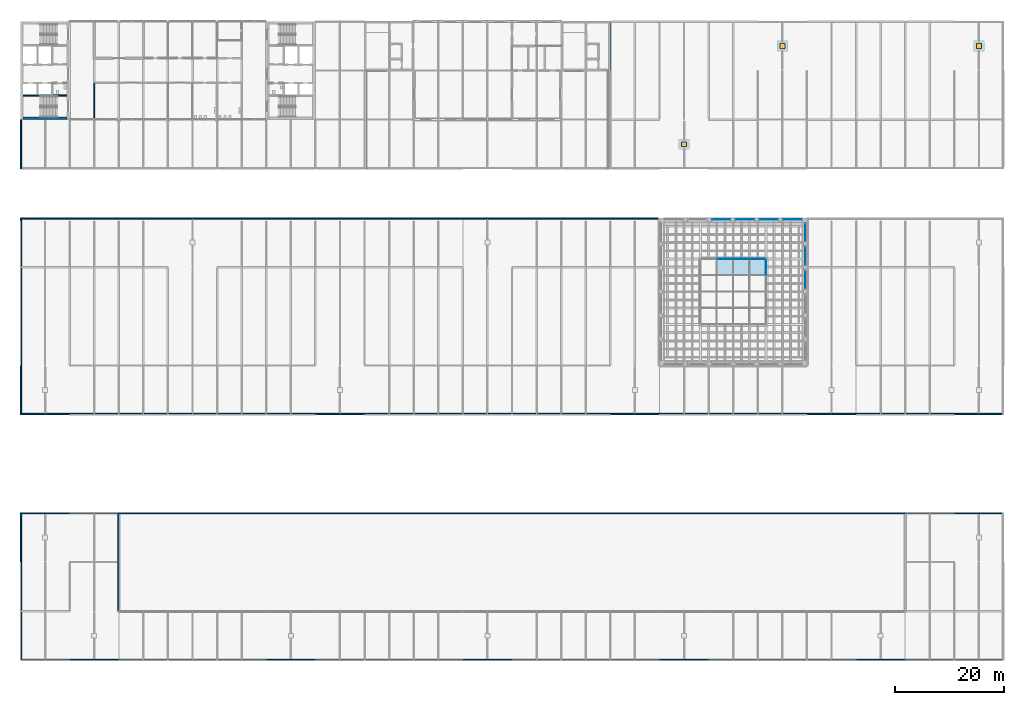
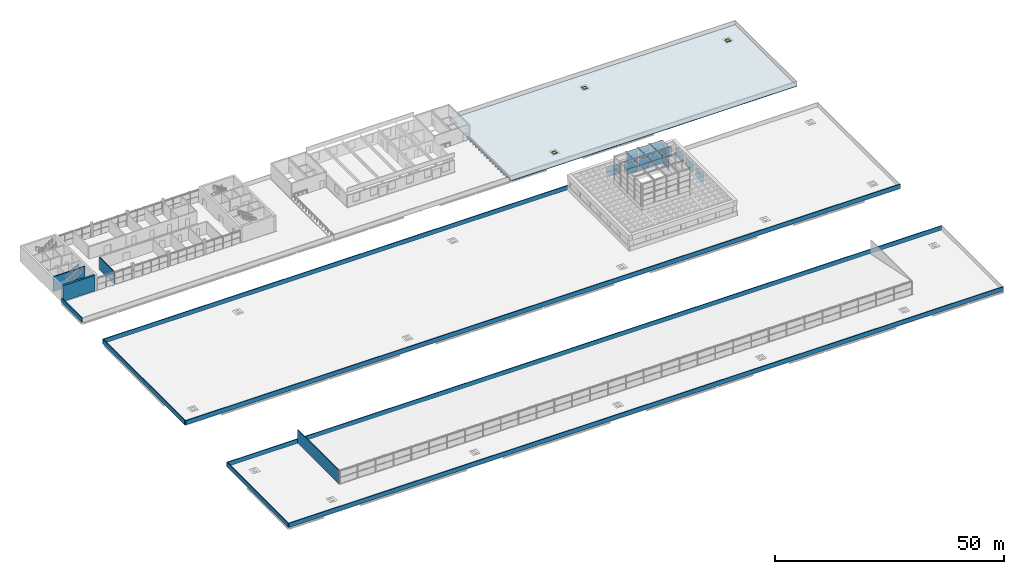
# One storey, part 42 of 50: 30 plates, 11 walls, 3 doors, 1 slab, 3 openings, 16 elements without a shape of their own.
"""IFC4 building model written with IfcOpenShell, lengths in metres."""

from ifc_helpers import new_model, si_unit, direction, frame, frame_2d, origin, origin_2d, place, context, subcontext, project, spatial, polyline, rectangle, outline, extrude, material, layer, layer_set, type_object, element, fill, aggregate, save


model = new_model("IFC4")

# Units and contexts
model_context = context("Model", 3, precision=1e-05, world=origin(), true_north=direction((0.0, 1.0)))
body_context = subcontext(model_context, "Body", "Model", "MODEL_VIEW")
ifc_project = project(units=[si_unit("LENGTHUNIT", "METRE"), si_unit("AREAUNIT", "SQUARE_METRE"), si_unit("VOLUMEUNIT", "CUBIC_METRE"), si_unit("PLANEANGLEUNIT", "RADIAN"), si_unit("MASSUNIT", "GRAM", prefix="KILO")], contexts=[model_context])

# Site, building, storey
site_placement = place(None, origin())
site = spatial("IfcSite", under=ifc_project, at=site_placement, CompositionType="ELEMENT")
building_placement = place(site_placement, origin())
building = spatial("IfcBuilding", under=site, at=building_placement, Name="Corbel Yard City Hall", CompositionType="ELEMENT")
storey_placement = place(building_placement, frame((0.0, 0.0, 15.0)))
storey = spatial("IfcBuildingStorey", under=building, at=storey_placement, Name="L03", CompositionType="ELEMENT", Elevation=15.0)

# Curtain wall, plates
ifc_material_1 = material(Name="Stainless steel Grade 316", Category="steel")
ifc_layer_1 = layer(ifc_material_1, 0.050048828125)
ifc_layer_set_1 = layer_set([ifc_layer_1], Name="Stainless steel Grade 316")
curtain_wall_type_1 = type_object("IfcCurtainWallType", Name="CW9", PredefinedType="USERDEFINED", material=ifc_layer_set_1)
curtain_wall_1_placement = place(storey_placement, origin())
curtain_wall_1 = element("IfcCurtainWall", 1, at=curtain_wall_1_placement, inside=storey, type_object=curtain_wall_type_1, Name="Lantern roof glazing", ObjectType="CURTAIN WALL", PredefinedType="USERDEFINED")
ifc_material_2 = material(Name="Laminated heat-strengthened glass", Category="glass")
ifc_layer_2 = layer(ifc_material_2, 0.052001953125)
ifc_layer_set_2 = layer_set([ifc_layer_2], Name="Laminated heat-strengthened glass")
plate_type_1 = type_object("IfcPlateType", Name="PN10", PredefinedType="CURTAIN_PANEL", material=ifc_layer_set_2)
plate_1_placement = place(storey_placement, frame((129.0, 72.06494140625, 10.64990234375), z_axis=(0.0, 0.0, 1.0), x_axis=(1.0, 0.0, 0.0)))
plate_1 = element("IfcPlate", 2, at=plate_1_placement, type_object=plate_type_1, Name="Lantern roof glazing panel", PredefinedType="CURTAIN_PANEL", context=body_context, shape_type="SweptSolid", body=[
    extrude(rectangle(XDim=2.93994140625, YDim=3.070068359375, at=origin_2d()), origin(), (0.0, 0.0, 1.0), 0.052001953125),
])
plate_2_placement = place(storey_placement, frame((132.0, 72.06494140625, 10.64990234375), z_axis=(0.0, 0.0, 1.0), x_axis=(1.0, 0.0, 0.0)))
plate_2 = element("IfcPlate", 3, at=plate_2_placement, type_object=plate_type_1, Name="Lantern roof glazing panel", PredefinedType="CURTAIN_PANEL", context=body_context, shape_type="SweptSolid", body=[
    extrude(rectangle(XDim=2.93994140625, YDim=3.070068359375, at=origin_2d()), origin(), (0.0, 0.0, 1.0), 0.052001953125),
])
plate_3_placement = place(storey_placement, frame((135.06494140625, 72.06494140625, 10.64990234375), z_axis=(0.0, 0.0, 1.0), x_axis=(1.0, 0.0, 0.0)))
plate_3 = element("IfcPlate", 4, at=plate_3_placement, type_object=plate_type_1, Name="Lantern roof glazing panel", PredefinedType="CURTAIN_PANEL", context=body_context, shape_type="SweptSolid", body=[
    extrude(rectangle(XDim=3.070068359375, YDim=3.070068359375, at=origin_2d()), origin(), (0.0, 0.0, 1.0), 0.052001953125),
])
aggregate(curtain_wall_1, [plate_1, plate_2, plate_3])

ifc_material_3 = material(Name="Aluminium extrusion", Category="aluminium")
ifc_layer_3 = layer(ifc_material_3, 0.1201171875)
ifc_layer_set_3 = layer_set([ifc_layer_3], Name="Aluminium extrusion")
curtain_wall_type_2 = type_object("IfcCurtainWallType", Name="CW3", PredefinedType="USERDEFINED", material=ifc_layer_set_3)
curtain_wall_2_placement = place(storey_placement, origin())
curtain_wall_2 = element("IfcCurtainWall", 5, at=curtain_wall_2_placement, inside=storey, type_object=curtain_wall_type_2, Name="Lantern glazing", ObjectType="CURTAIN WALL", PredefinedType="USERDEFINED")
ifc_layer_4 = layer(ifc_material_2, 0.0439453125)
ifc_layer_set_4 = layer_set([ifc_layer_4], Name="Laminated heat-strengthened glass")
plate_type_2 = type_object("IfcPlateType", Name="PN3", PredefinedType="CURTAIN_PANEL", material=ifc_layer_set_4)
plate_4_placement = place(storey_placement, frame((129.0, 73.5, 4.7001953125), z_axis=(0.0, 0.0, 1.0), x_axis=(1.0, 0.0, 0.0)))
plate_4 = element("IfcPlate", 6, at=plate_4_placement, type_object=plate_type_2, Name="CW3 panel 1.1", PredefinedType="CURTAIN_PANEL", context=body_context, shape_type="SweptSolid", body=[
    extrude(rectangle(XDim=2.699951171875, YDim=0.0439453125, at=origin_2d()), origin(), (0.0, 0.0, 1.0), 1.387451171875),
])
plate_5_placement = place(storey_placement, frame((129.0, 73.5, 6.1376953125), z_axis=(0.0, 0.0, 1.0), x_axis=(1.0, 0.0, 0.0)))
plate_5 = element("IfcPlate", 7, at=plate_5_placement, type_object=plate_type_2, Name="CW3 panel 1.2", PredefinedType="CURTAIN_PANEL", context=body_context, shape_type="SweptSolid", body=[
    extrude(rectangle(XDim=2.699951171875, YDim=0.0439453125, at=origin_2d()), origin(), (0.0, 0.0, 1.0), 1.387451171875),
])
aggregate(curtain_wall_2, [plate_4, plate_5])

curtain_wall_3_placement = place(storey_placement, origin())
curtain_wall_3 = element("IfcCurtainWall", 8, at=curtain_wall_3_placement, inside=storey, type_object=curtain_wall_type_2, Name="Lantern glazing", ObjectType="CURTAIN WALL", PredefinedType="USERDEFINED")
plate_6_placement = place(storey_placement, frame((132.0, 73.5, 4.7001953125), z_axis=(0.0, 0.0, 1.0), x_axis=(1.0, 0.0, 0.0)))
plate_6 = element("IfcPlate", 9, at=plate_6_placement, type_object=plate_type_2, Name="CW3 panel 1.1", PredefinedType="CURTAIN_PANEL", context=body_context, shape_type="SweptSolid", body=[
    extrude(rectangle(XDim=2.699951171875, YDim=0.0439453125, at=origin_2d()), origin(), (0.0, 0.0, 1.0), 1.387451171875),
])
plate_7_placement = place(storey_placement, frame((132.0, 73.5, 6.1376953125), z_axis=(0.0, 0.0, 1.0), x_axis=(1.0, 0.0, 0.0)))
plate_7 = element("IfcPlate", 10, at=plate_7_placement, type_object=plate_type_2, Name="CW3 panel 1.2", PredefinedType="CURTAIN_PANEL", context=body_context, shape_type="SweptSolid", body=[
    extrude(rectangle(XDim=2.699951171875, YDim=0.0439453125, at=origin_2d()), origin(), (0.0, 0.0, 1.0), 1.387451171875),
])
aggregate(curtain_wall_3, [plate_6, plate_7])

curtain_wall_4_placement = place(storey_placement, origin())
curtain_wall_4 = element("IfcCurtainWall", 11, at=curtain_wall_4_placement, inside=storey, type_object=curtain_wall_type_2, Name="Lantern glazing", ObjectType="CURTAIN WALL", PredefinedType="USERDEFINED")
plate_8_placement = place(storey_placement, frame((135.0, 73.5, 4.7001953125), z_axis=(0.0, 0.0, 1.0), x_axis=(1.0, 0.0, 0.0)))
plate_8 = element("IfcPlate", 12, at=plate_8_placement, type_object=plate_type_2, Name="CW3 panel 1.1", PredefinedType="CURTAIN_PANEL", context=body_context, shape_type="SweptSolid", body=[
    extrude(rectangle(XDim=2.699951171875, YDim=0.0439453125, at=origin_2d()), origin(), (0.0, 0.0, 1.0), 1.387451171875),
])
plate_9_placement = place(storey_placement, frame((135.0, 73.5, 6.1376953125), z_axis=(0.0, 0.0, 1.0), x_axis=(1.0, 0.0, 0.0)))
plate_9 = element("IfcPlate", 13, at=plate_9_placement, type_object=plate_type_2, Name="CW3 panel 1.2", PredefinedType="CURTAIN_PANEL", context=body_context, shape_type="SweptSolid", body=[
    extrude(rectangle(XDim=2.699951171875, YDim=0.0439453125, at=origin_2d()), origin(), (0.0, 0.0, 1.0), 1.387451171875),
])
aggregate(curtain_wall_4, [plate_8, plate_9])

curtain_wall_5_placement = place(storey_placement, origin())
curtain_wall_5 = element("IfcCurtainWall", 14, at=curtain_wall_5_placement, inside=storey, type_object=curtain_wall_type_2, Name="Lantern glazing", ObjectType="CURTAIN WALL", PredefinedType="USERDEFINED")
plate_10_placement = place(storey_placement, frame((136.5, 72.0, 4.7001953125), z_axis=(0.0, 0.0, 1.0), x_axis=(0.0, 1.0, 0.0)))
plate_10 = element("IfcPlate", 15, at=plate_10_placement, type_object=plate_type_2, Name="CW3 panel 1.1", PredefinedType="CURTAIN_PANEL", context=body_context, shape_type="SweptSolid", body=[
    extrude(rectangle(XDim=2.699951171875, YDim=0.0439453125, at=origin_2d()), origin(), (0.0, 0.0, 1.0), 1.387451171875),
])
plate_11_placement = place(storey_placement, frame((136.5, 72.0, 6.1376953125), z_axis=(0.0, 0.0, 1.0), x_axis=(0.0, 1.0, 0.0)))
plate_11 = element("IfcPlate", 16, at=plate_11_placement, type_object=plate_type_2, Name="CW3 panel 1.2", PredefinedType="CURTAIN_PANEL", context=body_context, shape_type="SweptSolid", body=[
    extrude(rectangle(XDim=2.699951171875, YDim=0.0439453125, at=origin_2d()), origin(), (0.0, 0.0, 1.0), 1.387451171875),
])
aggregate(curtain_wall_5, [plate_10, plate_11])

curtain_wall_6_placement = place(storey_placement, origin())
curtain_wall_6 = element("IfcCurtainWall", 17, at=curtain_wall_6_placement, inside=storey, type_object=curtain_wall_type_2, Name="Lantern glazing", ObjectType="CURTAIN WALL", PredefinedType="USERDEFINED")
plate_12_placement = place(storey_placement, frame((129.0, 73.5, 7.77490234375), z_axis=(0.0, 0.0, 1.0), x_axis=(1.0, 0.0, 0.0)))
plate_12 = element("IfcPlate", 18, at=plate_12_placement, type_object=plate_type_2, Name="CW3 panel 1.1", PredefinedType="CURTAIN_PANEL", context=body_context, shape_type="SweptSolid", body=[
    extrude(rectangle(XDim=2.699951171875, YDim=0.0439453125, at=origin_2d()), origin(), (0.0, 0.0, 1.0), 1.3125),
])
plate_13_placement = place(storey_placement, frame((129.0, 73.5, 9.137451171875), z_axis=(0.0, 0.0, 1.0), x_axis=(1.0, 0.0, 0.0)))
plate_13 = element("IfcPlate", 19, at=plate_13_placement, type_object=plate_type_2, Name="CW3 panel 1.2", PredefinedType="CURTAIN_PANEL", context=body_context, shape_type="SweptSolid", body=[
    extrude(rectangle(XDim=2.699951171875, YDim=0.0439453125, at=origin_2d()), origin(), (0.0, 0.0, 1.0), 1.3125),
])
aggregate(curtain_wall_6, [plate_12, plate_13])

curtain_wall_7_placement = place(storey_placement, origin())
curtain_wall_7 = element("IfcCurtainWall", 20, at=curtain_wall_7_placement, inside=storey, type_object=curtain_wall_type_2, Name="Lantern glazing", ObjectType="CURTAIN WALL", PredefinedType="USERDEFINED")
plate_14_placement = place(storey_placement, frame((132.0, 73.5, 7.77490234375), z_axis=(0.0, 0.0, 1.0), x_axis=(1.0, 0.0, 0.0)))
plate_14 = element("IfcPlate", 21, at=plate_14_placement, type_object=plate_type_2, Name="CW3 panel 1.1", PredefinedType="CURTAIN_PANEL", context=body_context, shape_type="SweptSolid", body=[
    extrude(rectangle(XDim=2.699951171875, YDim=0.0439453125, at=origin_2d()), origin(), (0.0, 0.0, 1.0), 1.3125),
])
plate_15_placement = place(storey_placement, frame((132.0, 73.5, 9.137451171875), z_axis=(0.0, 0.0, 1.0), x_axis=(1.0, 0.0, 0.0)))
plate_15 = element("IfcPlate", 22, at=plate_15_placement, type_object=plate_type_2, Name="CW3 panel 1.2", PredefinedType="CURTAIN_PANEL", context=body_context, shape_type="SweptSolid", body=[
    extrude(rectangle(XDim=2.699951171875, YDim=0.0439453125, at=origin_2d()), origin(), (0.0, 0.0, 1.0), 1.3125),
])
aggregate(curtain_wall_7, [plate_14, plate_15])

curtain_wall_8_placement = place(storey_placement, origin())
curtain_wall_8 = element("IfcCurtainWall", 23, at=curtain_wall_8_placement, inside=storey, type_object=curtain_wall_type_2, Name="Lantern glazing", ObjectType="CURTAIN WALL", PredefinedType="USERDEFINED")
plate_16_placement = place(storey_placement, frame((135.0, 73.5, 7.77490234375), z_axis=(0.0, 0.0, 1.0), x_axis=(1.0, 0.0, 0.0)))
plate_16 = element("IfcPlate", 24, at=plate_16_placement, type_object=plate_type_2, Name="CW3 panel 1.1", PredefinedType="CURTAIN_PANEL", context=body_context, shape_type="SweptSolid", body=[
    extrude(rectangle(XDim=2.699951171875, YDim=0.0439453125, at=origin_2d()), origin(), (0.0, 0.0, 1.0), 1.3125),
])
plate_17_placement = place(storey_placement, frame((135.0, 73.5, 9.137451171875), z_axis=(0.0, 0.0, 1.0), x_axis=(1.0, 0.0, 0.0)))
plate_17 = element("IfcPlate", 25, at=plate_17_placement, type_object=plate_type_2, Name="CW3 panel 1.2", PredefinedType="CURTAIN_PANEL", context=body_context, shape_type="SweptSolid", body=[
    extrude(rectangle(XDim=2.699951171875, YDim=0.0439453125, at=origin_2d()), origin(), (0.0, 0.0, 1.0), 1.3125),
])
aggregate(curtain_wall_8, [plate_16, plate_17])

curtain_wall_9_placement = place(storey_placement, origin())
curtain_wall_9 = element("IfcCurtainWall", 26, at=curtain_wall_9_placement, inside=storey, type_object=curtain_wall_type_2, Name="Lantern glazing", ObjectType="CURTAIN WALL", PredefinedType="USERDEFINED")
plate_18_placement = place(storey_placement, frame((136.5, 72.0, 7.77490234375), z_axis=(0.0, 0.0, 1.0), x_axis=(0.0, 1.0, 0.0)))
plate_18 = element("IfcPlate", 27, at=plate_18_placement, type_object=plate_type_2, Name="CW3 panel 1.1", PredefinedType="CURTAIN_PANEL", context=body_context, shape_type="SweptSolid", body=[
    extrude(rectangle(XDim=2.699951171875, YDim=0.0439453125, at=origin_2d()), origin(), (0.0, 0.0, 1.0), 1.3125),
])
plate_19_placement = place(storey_placement, frame((136.5, 72.0, 9.137451171875), z_axis=(0.0, 0.0, 1.0), x_axis=(0.0, 1.0, 0.0)))
plate_19 = element("IfcPlate", 28, at=plate_19_placement, type_object=plate_type_2, Name="CW3 panel 1.2", PredefinedType="CURTAIN_PANEL", context=body_context, shape_type="SweptSolid", body=[
    extrude(rectangle(XDim=2.699951171875, YDim=0.0439453125, at=origin_2d()), origin(), (0.0, 0.0, 1.0), 1.3125),
])
aggregate(curtain_wall_9, [plate_18, plate_19])

curtain_wall_10_placement = place(storey_placement, origin())
curtain_wall_10 = element("IfcCurtainWall", 29, at=curtain_wall_10_placement, inside=storey, type_object=curtain_wall_type_2, Name="Chamber clerestory glazing", ObjectType="CURTAIN WALL", PredefinedType="USERDEFINED")
plate_20_placement = place(storey_placement, frame((128.324951171875, 80.699951171875, -0.10009765625), z_axis=(0.0, 0.0, 1.0), x_axis=(1.0, 0.0, 0.0)))
plate_20 = element("IfcPlate", 30, at=plate_20_placement, type_object=plate_type_2, Name="CW3 panel 1.1", PredefinedType="CURTAIN_PANEL", context=body_context, shape_type="SweptSolid", body=[
    extrude(rectangle(XDim=3.35009765625, YDim=0.0439453125, at=origin_2d()), origin(), (0.0, 0.0, 1.0), 1.300048828125),
])
plate_21_placement = place(storey_placement, frame((128.324951171875, 80.699951171875, 1.25), z_axis=(0.0, 0.0, 1.0), x_axis=(1.0, 0.0, 0.0)))
plate_21 = element("IfcPlate", 31, at=plate_21_placement, type_object=plate_type_2, Name="CW3 panel 1.2", PredefinedType="CURTAIN_PANEL", context=body_context, shape_type="SweptSolid", body=[
    extrude(rectangle(XDim=3.35009765625, YDim=0.0439453125, at=origin_2d()), origin(), (0.0, 0.0, 1.0), 1.300048828125),
])
aggregate(curtain_wall_10, [plate_20, plate_21])

curtain_wall_11_placement = place(storey_placement, origin())
curtain_wall_11 = element("IfcCurtainWall", 32, at=curtain_wall_11_placement, inside=storey, type_object=curtain_wall_type_2, Name="Chamber clerestory glazing", ObjectType="CURTAIN WALL", PredefinedType="USERDEFINED")
plate_22_placement = place(storey_placement, frame((132.675048828125, 80.699951171875, -0.10009765625), z_axis=(0.0, 0.0, 1.0), x_axis=(1.0, 0.0, 0.0)))
plate_22 = element("IfcPlate", 33, at=plate_22_placement, type_object=plate_type_2, Name="CW3 panel 1.1", PredefinedType="CURTAIN_PANEL", context=body_context, shape_type="SweptSolid", body=[
    extrude(rectangle(XDim=3.35009765625, YDim=0.0439453125, at=origin_2d()), origin(), (0.0, 0.0, 1.0), 1.300048828125),
])
plate_23_placement = place(storey_placement, frame((132.675048828125, 80.699951171875, 1.25), z_axis=(0.0, 0.0, 1.0), x_axis=(1.0, 0.0, 0.0)))
plate_23 = element("IfcPlate", 34, at=plate_23_placement, type_object=plate_type_2, Name="CW3 panel 1.2", PredefinedType="CURTAIN_PANEL", context=body_context, shape_type="SweptSolid", body=[
    extrude(rectangle(XDim=3.35009765625, YDim=0.0439453125, at=origin_2d()), origin(), (0.0, 0.0, 1.0), 1.300048828125),
])
aggregate(curtain_wall_11, [plate_22, plate_23])

curtain_wall_12_placement = place(storey_placement, origin())
curtain_wall_12 = element("IfcCurtainWall", 35, at=curtain_wall_12_placement, inside=storey, type_object=curtain_wall_type_2, Name="Chamber clerestory glazing", ObjectType="CURTAIN WALL", PredefinedType="USERDEFINED")
plate_24_placement = place(storey_placement, frame((137.02490234375, 80.699951171875, -0.10009765625), z_axis=(0.0, 0.0, 1.0), x_axis=(1.0, 0.0, 0.0)))
plate_24 = element("IfcPlate", 36, at=plate_24_placement, type_object=plate_type_2, Name="CW3 panel 1.1", PredefinedType="CURTAIN_PANEL", context=body_context, shape_type="SweptSolid", body=[
    extrude(rectangle(XDim=3.35009765625, YDim=0.0439453125, at=origin_2d()), origin(), (0.0, 0.0, 1.0), 1.300048828125),
])
plate_25_placement = place(storey_placement, frame((137.02490234375, 80.699951171875, 1.25), z_axis=(0.0, 0.0, 1.0), x_axis=(1.0, 0.0, 0.0)))
plate_25 = element("IfcPlate", 37, at=plate_25_placement, type_object=plate_type_2, Name="CW3 panel 1.2", PredefinedType="CURTAIN_PANEL", context=body_context, shape_type="SweptSolid", body=[
    extrude(rectangle(XDim=3.35009765625, YDim=0.0439453125, at=origin_2d()), origin(), (0.0, 0.0, 1.0), 1.300048828125),
])
aggregate(curtain_wall_12, [plate_24, plate_25])

curtain_wall_13_placement = place(storey_placement, origin())
curtain_wall_13 = element("IfcCurtainWall", 38, at=curtain_wall_13_placement, inside=storey, type_object=curtain_wall_type_2, Name="Chamber clerestory glazing", ObjectType="CURTAIN WALL", PredefinedType="USERDEFINED")
plate_26_placement = place(storey_placement, frame((141.375, 80.699951171875, -0.10009765625), z_axis=(0.0, 0.0, 1.0), x_axis=(1.0, 0.0, 0.0)))
plate_26 = element("IfcPlate", 39, at=plate_26_placement, type_object=plate_type_2, Name="CW3 panel 1.1", PredefinedType="CURTAIN_PANEL", context=body_context, shape_type="SweptSolid", body=[
    extrude(rectangle(XDim=3.35009765625, YDim=0.0439453125, at=origin_2d()), origin(), (0.0, 0.0, 1.0), 1.300048828125),
])
plate_27_placement = place(storey_placement, frame((141.375, 80.699951171875, 1.25), z_axis=(0.0, 0.0, 1.0), x_axis=(1.0, 0.0, 0.0)))
plate_27 = element("IfcPlate", 40, at=plate_27_placement, type_object=plate_type_2, Name="CW3 panel 1.2", PredefinedType="CURTAIN_PANEL", context=body_context, shape_type="SweptSolid", body=[
    extrude(rectangle(XDim=3.35009765625, YDim=0.0439453125, at=origin_2d()), origin(), (0.0, 0.0, 1.0), 1.300048828125),
])
aggregate(curtain_wall_13, [plate_26, plate_27])

# Curtain wall, plate
curtain_wall_14_placement = place(storey_placement, origin())
curtain_wall_14 = element("IfcCurtainWall", 41, at=curtain_wall_14_placement, inside=storey, type_object=curtain_wall_type_2, Name="Chamber clerestory glazing", ObjectType="CURTAIN WALL", PredefinedType="USERDEFINED")
plate_28_placement = place(storey_placement, frame((143.699951171875, 69.675048828125, 0.050048828125), z_axis=(0.0, 0.0, 1.0), x_axis=(0.0, 1.0, 0.0)))
plate_28 = element("IfcPlate", 42, at=plate_28_placement, type_object=plate_type_2, Name="CW3 panel 1.1", PredefinedType="CURTAIN_PANEL", context=body_context, shape_type="SweptSolid", body=[
    extrude(rectangle(XDim=3.35009765625, YDim=0.0439453125, at=origin_2d()), origin(), (0.0, 0.0, 1.0), 2.5),
])
aggregate(curtain_wall_14, [plate_28])

curtain_wall_15_placement = place(storey_placement, origin())
curtain_wall_15 = element("IfcCurtainWall", 43, at=curtain_wall_15_placement, inside=storey, type_object=curtain_wall_type_2, Name="Chamber clerestory glazing", ObjectType="CURTAIN WALL", PredefinedType="USERDEFINED")
plate_29_placement = place(storey_placement, frame((143.699951171875, 74.02490234375, 0.050048828125), z_axis=(0.0, 0.0, 1.0), x_axis=(0.0, 1.0, 0.0)))
plate_29 = element("IfcPlate", 44, at=plate_29_placement, type_object=plate_type_2, Name="CW3 panel 1.1", PredefinedType="CURTAIN_PANEL", context=body_context, shape_type="SweptSolid", body=[
    extrude(rectangle(XDim=3.35009765625, YDim=0.0439453125, at=origin_2d()), origin(), (0.0, 0.0, 1.0), 2.5),
])
aggregate(curtain_wall_15, [plate_29])

curtain_wall_16_placement = place(storey_placement, origin())
curtain_wall_16 = element("IfcCurtainWall", 45, at=curtain_wall_16_placement, inside=storey, type_object=curtain_wall_type_2, Name="Chamber clerestory glazing", ObjectType="CURTAIN WALL", PredefinedType="USERDEFINED")
plate_30_placement = place(storey_placement, frame((143.699951171875, 78.375, 0.050048828125), z_axis=(0.0, 0.0, 1.0), x_axis=(0.0, 1.0, 0.0)))
plate_30 = element("IfcPlate", 46, at=plate_30_placement, type_object=plate_type_2, Name="CW3 panel 1.1", PredefinedType="CURTAIN_PANEL", context=body_context, shape_type="SweptSolid", body=[
    extrude(rectangle(XDim=3.35009765625, YDim=0.0439453125, at=origin_2d()), origin(), (0.0, 0.0, 1.0), 2.5),
])
aggregate(curtain_wall_16, [plate_30])

# Slab, openings, doors
ifc_material_4 = material(Name="Concrete N40 (40 MPa)", Category="concrete")
ifc_layer_5 = layer(ifc_material_4, 0.14990234375)
ifc_layer_set_5 = layer_set([ifc_layer_5], Name="Concrete N40 (40 MPa)")
slab_type = type_object("IfcSlabType", Name="Roof deck 150", PredefinedType="ROOF", material=ifc_layer_set_5)
slab_placement = place(storey_placement, frame((0.0, 0.0, -0.14990234375)))
slab = element("IfcSlab", 47, at=slab_placement, inside=storey, type_object=slab_type, Name="Roof deck Civic reception and councillors' wing", PredefinedType="ROOF", context=body_context, shape_type="SweptSolid", body=[
    extrude(outline(polyline([(180.0, 117.0), (108.0, 117.0), (108.0, 90.0), (180.0, 90.0), (180.0, 117.0)])), origin(), (0.0, 0.0, 1.0), 0.14990234375),
])
opening_1_placement = place(slab_placement, frame((139.5, 112.5, 0.0)))
opening_1 = element("IfcOpeningElement", 48, at=opening_1_placement, cuts=slab, Name="Opening HT1", PredefinedType="OPENING", context=body_context, shape_type="SweptSolid", body=[
    extrude(rectangle(XDim=0.89990234375, YDim=0.89990234375, at=origin_2d()), frame((0.0, 0.0, -0.010009765625)), (0.0, 0.0, 1.0), 0.169921875),
])
opening_2_placement = place(slab_placement, frame((175.5, 112.5, 0.0)))
opening_2 = element("IfcOpeningElement", 49, at=opening_2_placement, cuts=slab, Name="Opening HT1", PredefinedType="OPENING", context=body_context, shape_type="SweptSolid", body=[
    extrude(rectangle(XDim=0.89990234375, YDim=0.89990234375, at=origin_2d()), frame((0.0, 0.0, -0.010009765625)), (0.0, 0.0, 1.0), 0.169921875),
])
opening_3_placement = place(slab_placement, frame((121.5, 94.5, 0.0)))
opening_3 = element("IfcOpeningElement", 50, at=opening_3_placement, cuts=slab, Name="Opening HT1", PredefinedType="OPENING", context=body_context, shape_type="SweptSolid", body=[
    extrude(rectangle(XDim=0.89990234375, YDim=0.89990234375, at=origin_2d()), frame((0.0, 0.0, -0.010009765625)), (0.0, 0.0, 1.0), 0.169921875),
])
ifc_material_5 = material(Name="Steel Grade G250", Category="steel")
door_type = type_object("IfcDoorType", Name="HT1", OperationType="SINGLE_SWING_LEFT", PredefinedType="TRAPDOOR", material=ifc_material_5)
door_1_placement = place(opening_1_placement, frame((0.0, 0.0, 0.099853515625)))
door_1 = element("IfcDoor", 51, at=door_1_placement, inside=storey, type_object=door_type, Name="Roof hatch PC-N3", OperationType="SINGLE_SWING_LEFT", OverallHeight=0.89990234375, OverallWidth=0.89990234375, PredefinedType="TRAPDOOR", context=body_context, shape_type="SweptSolid", body=[
    extrude(rectangle(XDim=0.89990234375, YDim=0.89990234375, at=origin_2d()), origin(), (0.0, 0.0, 1.0), 0.050048828125),
])
fill(opening_1, door_1)
door_2_placement = place(opening_2_placement, frame((0.0, 0.0, 0.099853515625)))
door_2 = element("IfcDoor", 52, at=door_2_placement, inside=storey, type_object=door_type, Name="Roof hatch PC-N4", OperationType="SINGLE_SWING_LEFT", OverallHeight=0.89990234375, OverallWidth=0.89990234375, PredefinedType="TRAPDOOR", context=body_context, shape_type="SweptSolid", body=[
    extrude(rectangle(XDim=0.89990234375, YDim=0.89990234375, at=origin_2d()), origin(), (0.0, 0.0, 1.0), 0.050048828125),
])
fill(opening_2, door_2)
door_3_placement = place(opening_3_placement, frame((0.0, 0.0, 0.099853515625)))
door_3 = element("IfcDoor", 53, at=door_3_placement, inside=storey, type_object=door_type, Name="Roof hatch PC-N6", OperationType="SINGLE_SWING_LEFT", OverallHeight=0.89990234375, OverallWidth=0.89990234375, PredefinedType="TRAPDOOR", context=body_context, shape_type="SweptSolid", body=[
    extrude(rectangle(XDim=0.89990234375, YDim=0.89990234375, at=origin_2d()), origin(), (0.0, 0.0, 1.0), 0.050048828125),
])
fill(opening_3, door_3)

# Walls
ifc_layer_6 = layer(ifc_material_4, 0.25)
ifc_layer_set_6 = layer_set([ifc_layer_6], Name="Concrete N40 (40 MPa)")
wall_type_1 = type_object("IfcWallType", Name="IW2", PredefinedType="SOLIDWALL", material=ifc_layer_set_6)
wall_1_placement = place(storey_placement, frame((8.5, 103.425048828125, 0.0), z_axis=(0.0, 0.0, 1.0), x_axis=(-1.0, 0.0, 0.0)))
element("IfcWall", 54, at=wall_1_placement, inside=storey, type_object=wall_type_1, Name="Stair enclosure wall", PredefinedType="SOLIDWALL", context=body_context, shape_type="SweptSolid", body=[
    extrude(rectangle(XDim=8.0, YDim=0.25, at=frame_2d((4.0, 0.0))), origin(), (0.0, 0.0, 1.0), 3.949951171875),
])
ifc_material_6 = material(Name="Concrete N32 (32 MPa)", Category="concrete")
ifc_layer_7 = layer(ifc_material_6, 0.199951171875)
ifc_layer_set_7 = layer_set([ifc_layer_7], Name="Concrete N32 (32 MPa)")
wall_type_2 = type_object("IfcWallType", Name="PR1", PredefinedType="PARAPET", material=ifc_layer_set_7)
for number, where, z_axis, x_axis, name in (
    (55, (0.0, 0.10009765625, 0.0), (0.0, 0.0, 1.0), (1.0, 0.0, 0.0), "Roof parapet"),
    (56, (0.0, 26.89990234375, 0.0), (0.0, 0.0, 1.0), (1.0, 0.0, 0.0), "Roof parapet"),
):
    element("IfcWall", number, at=place(storey_placement, frame(where, z_axis=z_axis, x_axis=x_axis)), inside=storey, type_object=wall_type_2, Name=name, PredefinedType="PARAPET", context=body_context, shape_type="SweptSolid", body=[
        extrude(rectangle(XDim=180.0, YDim=0.199951171875, at=frame_2d((90.0, 0.0))), origin(), (0.0, 0.0, 1.0), 1.139892578125),
    ])
wall_2_placement = place(storey_placement, frame((0.10009765625, 0.0, 0.0), z_axis=(0.0, 0.0, 1.0), x_axis=(0.0, 1.0, 0.0)))
element("IfcWall", 57, at=wall_2_placement, inside=storey, type_object=wall_type_2, Name="Roof parapet", PredefinedType="PARAPET", context=body_context, shape_type="SweptSolid", body=[
    extrude(rectangle(XDim=27.0, YDim=0.199951171875, at=frame_2d((13.5, 0.0))), origin(), (0.0, 0.0, 1.0), 1.139892578125),
])
wall_3_placement = place(storey_placement, frame((0.0, 45.10009765625, 0.0), z_axis=(0.0, 0.0, 1.0), x_axis=(1.0, 0.0, 0.0)))
element("IfcWall", 58, at=wall_3_placement, inside=storey, type_object=wall_type_2, Name="Roof parapet", PredefinedType="PARAPET", context=body_context, shape_type="SweptSolid", body=[
    extrude(rectangle(XDim=180.0, YDim=0.199951171875, at=frame_2d((90.0, 0.0))), origin(), (0.0, 0.0, 1.0), 1.139892578125),
])
wall_4_placement = place(storey_placement, frame((0.0, 80.89990234375, 0.0), z_axis=(0.0, 0.0, 1.0), x_axis=(1.0, 0.0, 0.0)))
element("IfcWall", 59, at=wall_4_placement, inside=storey, type_object=wall_type_2, Name="Roof parapet", PredefinedType="PARAPET", context=body_context, shape_type="SweptSolid", body=[
    extrude(rectangle(XDim=117.0, YDim=0.199951171875, at=frame_2d((58.5, 0.0))), origin(), (0.0, 0.0, 1.0), 1.139892578125),
])
wall_5_placement = place(storey_placement, frame((0.10009765625, 45.0, 0.0), z_axis=(0.0, 0.0, 1.0), x_axis=(0.0, 1.0, 0.0)))
element("IfcWall", 60, at=wall_5_placement, inside=storey, type_object=wall_type_2, Name="Roof parapet", PredefinedType="PARAPET", context=body_context, shape_type="SweptSolid", body=[
    extrude(rectangle(XDim=36.0, YDim=0.199951171875, at=frame_2d((18.0, 0.0))), origin(), (0.0, 0.0, 1.0), 1.139892578125),
])
wall_6_placement = place(storey_placement, frame((0.10009765625, 90.0, 0.0), z_axis=(0.0, 0.0, 1.0), x_axis=(0.0, 1.0, 0.0)))
element("IfcWall", 61, at=wall_6_placement, inside=storey, type_object=wall_type_2, Name="Roof parapet", PredefinedType="PARAPET", context=body_context, shape_type="SweptSolid", body=[
    extrude(rectangle(XDim=9.0, YDim=0.199951171875, at=frame_2d((4.5, 0.0))), origin(), (0.0, 0.0, 1.0), 1.139892578125),
])
ifc_material_7 = material(Name="Anodised aluminium", Category="aluminium")
ifc_layer_8 = layer(ifc_material_7, 0.199951171875)
ifc_layer_set_8 = layer_set([ifc_layer_8], Name="Anodised aluminium")
wall_type_3 = type_object("IfcWallType", Name="PR6", PredefinedType="PARAPET", material=ifc_layer_set_8)
wall_7_placement = place(storey_placement, frame((17.89990234375, 9.0, 0.0), z_axis=(0.0, 0.0, 1.0), x_axis=(0.0, 1.0, 0.0)))
element("IfcWall", 62, at=wall_7_placement, inside=storey, type_object=wall_type_3, Name="Hall end screen wall", PredefinedType="PARAPET", context=body_context, shape_type="SweptSolid", body=[
    extrude(rectangle(XDim=17.800048828125, YDim=0.199951171875, at=frame_2d((8.89990234375, 0.0))), origin(), (0.0, 0.0, 1.0), 3.60009765625),
])
ifc_material_8 = material(Name="Gypsum plasterboard", Category="gypsum")
ifc_layer_9 = layer(ifc_material_8, 0.031982421875)
ifc_material_9 = material(Name="Steel Grade G550 (550 MPa yield)", Category="steel")
ifc_layer_10 = layer(ifc_material_9, 0.135986328125)
ifc_layer_11 = layer(ifc_material_8, 0.031982421875)
ifc_layer_set_9 = layer_set([ifc_layer_9, ifc_layer_10, ifc_layer_11], Name="Steel Grade G550 (550 MPa yield)")
wall_type_4 = type_object("IfcWallType", Name="PT2", PredefinedType="PARTITIONING", material=ifc_layer_set_9)
wall_8_placement = place(storey_placement, frame((13.5, 99.074951171875, 0.0), z_axis=(0.0, 0.0, 1.0), x_axis=(0.0, 1.0, 0.0)))
element("IfcWall", 63, at=wall_8_placement, inside=storey, type_object=wall_type_4, Name="Acoustic wall", PredefinedType="PARTITIONING", context=body_context, shape_type="SweptSolid", body=[
    extrude(rectangle(XDim=6.574951171875, YDim=0.199951171875, at=frame_2d((3.28759765625, 0.0))), origin(), (0.0, 0.0, 1.0), 3.25),
])
ifc_material_10 = material(Name="Concrete N50 (50 MPa)", Category="concrete")
ifc_layer_12 = layer(ifc_material_10, 0.5)
ifc_layer_set_10 = layer_set([ifc_layer_12], Name="Concrete N50 (50 MPa)")
wall_type_5 = type_object("IfcWallType", Name="Trunk wall 500", PredefinedType="SHEAR", material=ifc_layer_set_10)
wall_9_placement = place(storey_placement, frame((0.5, 99.25, 0.0), z_axis=(0.0, 0.0, 1.0), x_axis=(1.0, 0.0, 0.0)))
element("IfcWall", 64, at=wall_9_placement, inside=storey, type_object=wall_type_5, Name="Trunk W south wall", PredefinedType="SHEAR", context=body_context, shape_type="SweptSolid", body=[
    extrude(rectangle(XDim=8.0, YDim=0.5, at=frame_2d((4.0, 0.0))), origin(), (0.0, 0.0, 1.0), 4.199951171875),
])

save(model, "model.ifc")
